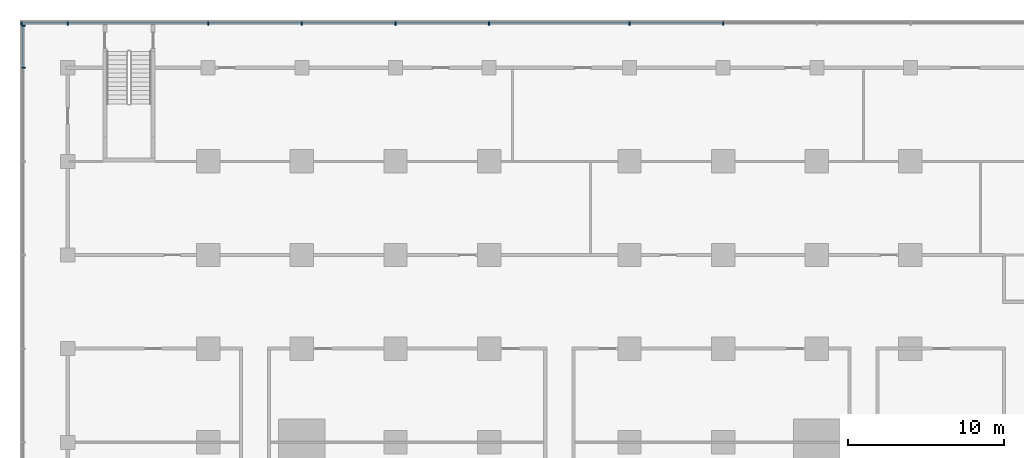
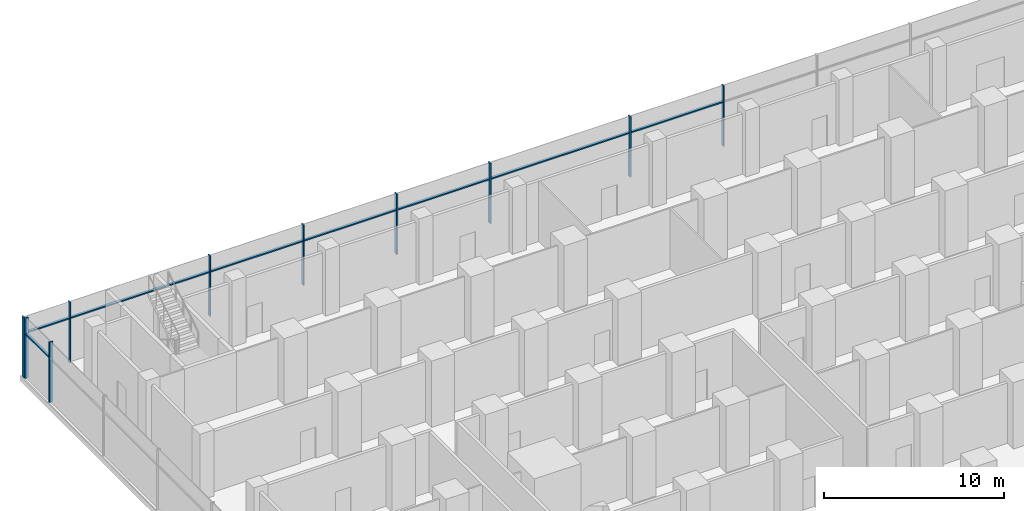
# One storey, part 7 of 22: 18 members, 2 elements without a shape of their own.
"""IFC4 building model written with IfcOpenShell, lengths in metres."""

from ifc_helpers import new_model, si_unit, direction, frame, origin, origin_2d, place, context, subcontext, project, spatial, rectangle, extrude, material, material_profile, profile_set, type_object, element, aggregate, save


model = new_model("IFC4")

# Units and contexts
model_context = context("Model", 3, precision=1e-05, world=origin(), true_north=direction((0.0, 1.0)))
body_context = subcontext(model_context, "Body", "Model", "MODEL_VIEW")
ifc_project = project(units=[si_unit("LENGTHUNIT", "METRE"), si_unit("AREAUNIT", "SQUARE_METRE"), si_unit("VOLUMEUNIT", "CUBIC_METRE"), si_unit("PLANEANGLEUNIT", "RADIAN"), si_unit("MASSUNIT", "GRAM", prefix="KILO")], contexts=[model_context])

# Site, building, storey
site_placement = place(None, origin())
site = spatial("IfcSite", under=ifc_project, at=site_placement, CompositionType="ELEMENT")
building_placement = place(site_placement, origin())
building = spatial("IfcBuilding", under=site, at=building_placement, Name="Finial Court Residences", CompositionType="ELEMENT")
storey_placement = place(building_placement, frame((0.0, 0.0, 28.0)))
storey = spatial("IfcBuildingStorey", under=building, at=storey_placement, Name="L05", CompositionType="ELEMENT", Elevation=28.0)

# Curtain wall, members
ifc_material = material(Name="Bronze anodised aluminium", Category="aluminium")
curtain_wall_type = type_object("IfcCurtainWallType", Name="Podium curtain wall", PredefinedType="NOTDEFINED", material=ifc_material)
curtain_wall_1_placement = place(storey_placement, origin())
curtain_wall_1 = element("IfcCurtainWall", 1, at=curtain_wall_1_placement, inside=storey, type_object=curtain_wall_type, Name="E-L05-CW-N1", PredefinedType="NOTDEFINED")
ifc_material_profile_1 = material_profile(ifc_material, rectangle(XDim=0.22509765625, YDim=0.080078125, at=origin_2d()), Name="CW5 mullion 80 x 225")
ifc_profile_set_1 = profile_set([ifc_material_profile_1], Name="Bronze anodised aluminium")
member_type_1 = type_object("IfcMemberType", Name="CW5 mullion 80 x 225", PredefinedType="MULLION", material=ifc_profile_set_1)
member_1_placement = place(storey_placement, frame((-34.4599609375, 34.35009765625, 0.0), z_axis=(0.0, 0.0, 1.0), x_axis=(0.0, 1.0, 0.0)))
member_1 = element("IfcMember", 2, at=member_1_placement, type_object=member_type_1, Name="CW5 mullion 1", PredefinedType="MULLION", context=body_context, shape_type="SweptSolid", body=[
    extrude(rectangle(XDim=0.22509765625, YDim=0.080078125, at=origin_2d()), origin(), (0.0, 0.0, 1.0), 4.10009765625),
])
member_2_placement = place(storey_placement, frame((-31.5, 34.35009765625, 0.0), z_axis=(0.0, 0.0, 1.0), x_axis=(0.0, 1.0, 0.0)))
member_2 = element("IfcMember", 3, at=member_2_placement, type_object=member_type_1, Name="CW5 mullion 2", PredefinedType="MULLION", context=body_context, shape_type="SweptSolid", body=[
    extrude(rectangle(XDim=0.22509765625, YDim=0.080078125, at=origin_2d()), origin(), (0.0, 0.0, 1.0), 4.10009765625),
])
member_3_placement = place(storey_placement, frame((-22.5, 34.35009765625, 0.0), z_axis=(0.0, 0.0, 1.0), x_axis=(0.0, 1.0, 0.0)))
member_3 = element("IfcMember", 4, at=member_3_placement, type_object=member_type_1, Name="CW5 mullion 3", PredefinedType="MULLION", context=body_context, shape_type="SweptSolid", body=[
    extrude(rectangle(XDim=0.22509765625, YDim=0.080078125, at=origin_2d()), origin(), (0.0, 0.0, 1.0), 4.10009765625),
])
member_4_placement = place(storey_placement, frame((-16.5, 34.35009765625, 0.0), z_axis=(0.0, 0.0, 1.0), x_axis=(0.0, 1.0, 0.0)))
member_4 = element("IfcMember", 5, at=member_4_placement, type_object=member_type_1, Name="CW5 mullion 4", PredefinedType="MULLION", context=body_context, shape_type="SweptSolid", body=[
    extrude(rectangle(XDim=0.22509765625, YDim=0.080078125, at=origin_2d()), origin(), (0.0, 0.0, 1.0), 4.10009765625),
])
member_5_placement = place(storey_placement, frame((-10.5, 34.35009765625, 0.0), z_axis=(0.0, 0.0, 1.0), x_axis=(0.0, 1.0, 0.0)))
member_5 = element("IfcMember", 6, at=member_5_placement, type_object=member_type_1, Name="CW5 mullion 5", PredefinedType="MULLION", context=body_context, shape_type="SweptSolid", body=[
    extrude(rectangle(XDim=0.22509765625, YDim=0.080078125, at=origin_2d()), origin(), (0.0, 0.0, 1.0), 4.10009765625),
])
member_6_placement = place(storey_placement, frame((-4.5, 34.35009765625, 0.0), z_axis=(0.0, 0.0, 1.0), x_axis=(0.0, 1.0, 0.0)))
member_6 = element("IfcMember", 7, at=member_6_placement, type_object=member_type_1, Name="CW5 mullion 6", PredefinedType="MULLION", context=body_context, shape_type="SweptSolid", body=[
    extrude(rectangle(XDim=0.22509765625, YDim=0.080078125, at=origin_2d()), origin(), (0.0, 0.0, 1.0), 4.10009765625),
])
member_7_placement = place(storey_placement, frame((4.5, 34.35009765625, 0.0), z_axis=(0.0, 0.0, 1.0), x_axis=(0.0, 1.0, 0.0)))
member_7 = element("IfcMember", 8, at=member_7_placement, type_object=member_type_1, Name="CW5 mullion 7", PredefinedType="MULLION", context=body_context, shape_type="SweptSolid", body=[
    extrude(rectangle(XDim=0.22509765625, YDim=0.080078125, at=origin_2d()), origin(), (0.0, 0.0, 1.0), 4.10009765625),
])
member_8_placement = place(storey_placement, frame((10.5, 34.35009765625, 0.0), z_axis=(0.0, 0.0, 1.0), x_axis=(0.0, 1.0, 0.0)))
member_8 = element("IfcMember", 9, at=member_8_placement, type_object=member_type_1, Name="CW5 mullion 8", PredefinedType="MULLION", context=body_context, shape_type="SweptSolid", body=[
    extrude(rectangle(XDim=0.22509765625, YDim=0.080078125, at=origin_2d()), origin(), (0.0, 0.0, 1.0), 4.10009765625),
])

curtain_wall_2_placement = place(storey_placement, origin())
curtain_wall_2 = element("IfcCurtainWall", 10, at=curtain_wall_2_placement, inside=storey, type_object=curtain_wall_type, Name="E-L05-CW-W4", PredefinedType="NOTDEFINED")
member_9_placement = place(storey_placement, frame((-34.35009765625, 31.5, 0.0), z_axis=(0.0, 0.0, 1.0), x_axis=(-1.0, 0.0, 0.0)))
member_9 = element("IfcMember", 11, at=member_9_placement, type_object=member_type_1, Name="CW5 mullion 11", PredefinedType="MULLION", context=body_context, shape_type="SweptSolid", body=[
    extrude(rectangle(XDim=0.22509765625, YDim=0.080078125, at=origin_2d()), origin(), (0.0, 0.0, 1.0), 4.10009765625),
])
member_10_placement = place(storey_placement, frame((-34.35009765625, 34.197509765625, 0.0), z_axis=(0.0, 0.0, 1.0), x_axis=(-1.0, 0.0, 0.0)))
member_10 = element("IfcMember", 12, at=member_10_placement, type_object=member_type_1, Name="CW5 mullion 12", PredefinedType="MULLION", context=body_context, shape_type="SweptSolid", body=[
    extrude(rectangle(XDim=0.22509765625, YDim=0.080078125, at=origin_2d()), origin(), (0.0, 0.0, 1.0), 4.10009765625),
])

# Member
ifc_material_profile_2 = material_profile(ifc_material, rectangle(XDim=0.175048828125, YDim=0.080078125, at=origin_2d()), Name="CW5 transom 80 x 175")
ifc_profile_set_2 = profile_set([ifc_material_profile_2], Name="Bronze anodised aluminium")
member_type_2 = type_object("IfcMemberType", Name="CW5 transom 80 x 175", PredefinedType="USERDEFINED", material=ifc_profile_set_2)
member_11_placement = place(storey_placement, frame((-34.419921875, 34.35009765625, 3.0), z_axis=(1.0, 0.0, 0.0), x_axis=(0.0, 1.0, 0.0)))
member_11 = element("IfcMember", 13, at=member_11_placement, type_object=member_type_2, Name="CW5 transom 1.1", ObjectType="TRANSOM", PredefinedType="USERDEFINED", context=body_context, shape_type="SweptSolid", body=[
    extrude(rectangle(XDim=0.175048828125, YDim=0.080078125, at=origin_2d()), origin(), (0.0, 0.0, 1.0), 2.8798828125),
])

member_12_placement = place(storey_placement, frame((-31.4599609375, 34.35009765625, 3.0), z_axis=(1.0, 0.0, 0.0), x_axis=(0.0, 1.0, 0.0)))
member_12 = element("IfcMember", 14, at=member_12_placement, type_object=member_type_2, Name="CW5 transom 2.1", ObjectType="TRANSOM", PredefinedType="USERDEFINED", context=body_context, shape_type="SweptSolid", body=[
    extrude(rectangle(XDim=0.175048828125, YDim=0.080078125, at=origin_2d()), origin(), (0.0, 0.0, 1.0), 8.919921875),
])

member_13_placement = place(storey_placement, frame((-22.4599609375, 34.35009765625, 3.0), z_axis=(1.0, 0.0, 0.0), x_axis=(0.0, 1.0, 0.0)))
member_13 = element("IfcMember", 15, at=member_13_placement, type_object=member_type_2, Name="CW5 transom 3.1", ObjectType="TRANSOM", PredefinedType="USERDEFINED", context=body_context, shape_type="SweptSolid", body=[
    extrude(rectangle(XDim=0.175048828125, YDim=0.080078125, at=origin_2d()), origin(), (0.0, 0.0, 1.0), 5.919921875),
])

member_14_placement = place(storey_placement, frame((-16.4599609375, 34.35009765625, 3.0), z_axis=(1.0, 0.0, 0.0), x_axis=(0.0, 1.0, 0.0)))
member_14 = element("IfcMember", 16, at=member_14_placement, type_object=member_type_2, Name="CW5 transom 4.1", ObjectType="TRANSOM", PredefinedType="USERDEFINED", context=body_context, shape_type="SweptSolid", body=[
    extrude(rectangle(XDim=0.175048828125, YDim=0.080078125, at=origin_2d()), origin(), (0.0, 0.0, 1.0), 5.919921875),
])

member_15_placement = place(storey_placement, frame((-10.4599609375, 34.35009765625, 3.0), z_axis=(1.0, 0.0, 0.0), x_axis=(0.0, 1.0, 0.0)))
member_15 = element("IfcMember", 17, at=member_15_placement, type_object=member_type_2, Name="CW5 transom 5.1", ObjectType="TRANSOM", PredefinedType="USERDEFINED", context=body_context, shape_type="SweptSolid", body=[
    extrude(rectangle(XDim=0.175048828125, YDim=0.080078125, at=origin_2d()), origin(), (0.0, 0.0, 1.0), 5.919921875),
])

member_16_placement = place(storey_placement, frame((-4.4599609375, 34.35009765625, 3.0), z_axis=(1.0, 0.0, 0.0), x_axis=(0.0, 1.0, 0.0)))
member_16 = element("IfcMember", 18, at=member_16_placement, type_object=member_type_2, Name="CW5 transom 6.1", ObjectType="TRANSOM", PredefinedType="USERDEFINED", context=body_context, shape_type="SweptSolid", body=[
    extrude(rectangle(XDim=0.175048828125, YDim=0.080078125, at=origin_2d()), origin(), (0.0, 0.0, 1.0), 8.919921875),
])

member_17_placement = place(storey_placement, frame((4.5400390625, 34.35009765625, 3.0), z_axis=(1.0, 0.0, 0.0), x_axis=(0.0, 1.0, 0.0)))
member_17 = element("IfcMember", 19, at=member_17_placement, type_object=member_type_2, Name="CW5 transom 7.1", ObjectType="TRANSOM", PredefinedType="USERDEFINED", context=body_context, shape_type="SweptSolid", body=[
    extrude(rectangle(XDim=0.175048828125, YDim=0.080078125, at=origin_2d()), origin(), (0.0, 0.0, 1.0), 5.919921875),
])

aggregate(curtain_wall_1, [member_1, member_2, member_3, member_4, member_5, member_6, member_7, member_8, member_11, member_12, member_13, member_14, member_15, member_16, member_17])

member_18_placement = place(storey_placement, frame((-34.35009765625, 31.5400390625, 3.0), z_axis=(0.0, 1.0, 0.0), x_axis=(-1.0, 0.0, 0.0)))
member_18 = element("IfcMember", 20, at=member_18_placement, type_object=member_type_2, Name="CW5 transom 11.1", ObjectType="TRANSOM", PredefinedType="USERDEFINED", context=body_context, shape_type="SweptSolid", body=[
    extrude(rectangle(XDim=0.175048828125, YDim=0.080078125, at=origin_2d()), origin(), (0.0, 0.0, 1.0), 2.617431640625),
])

aggregate(curtain_wall_2, [member_9, member_10, member_18])

save(model, "model.ifc")
